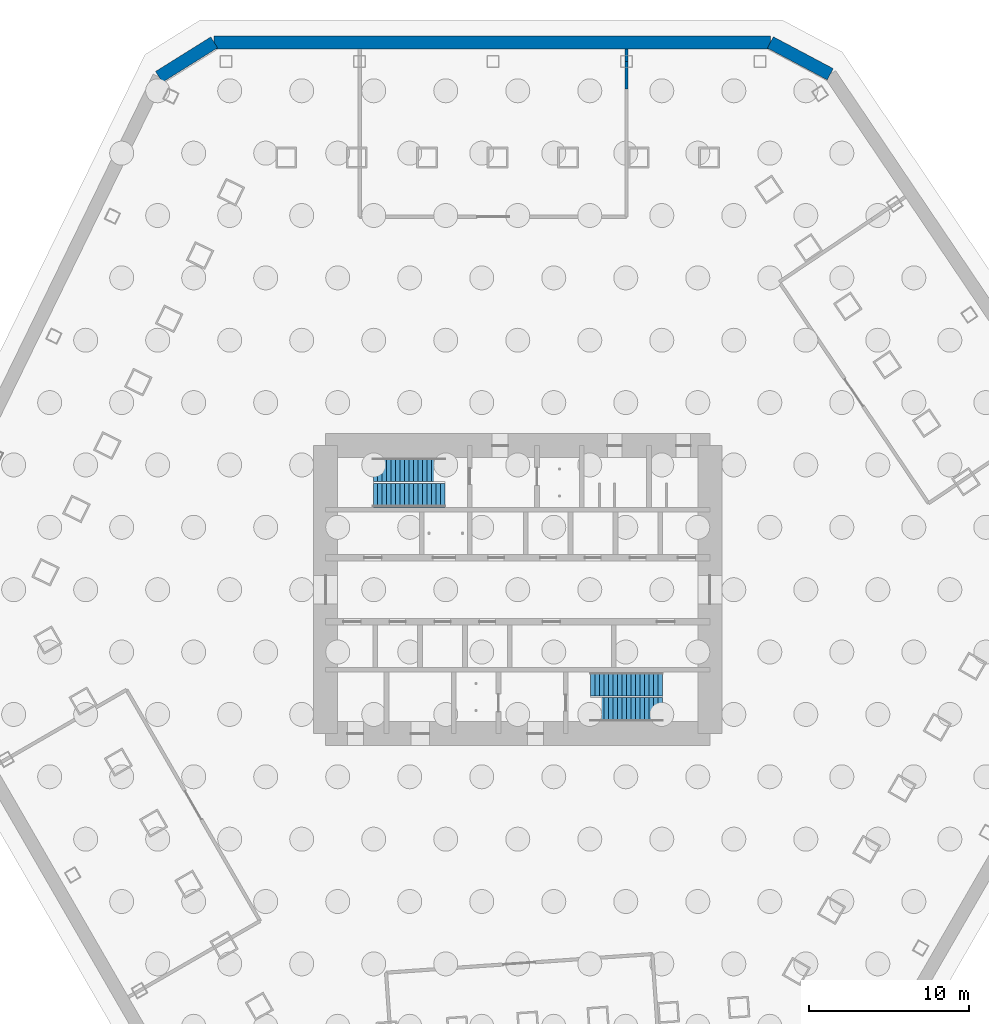
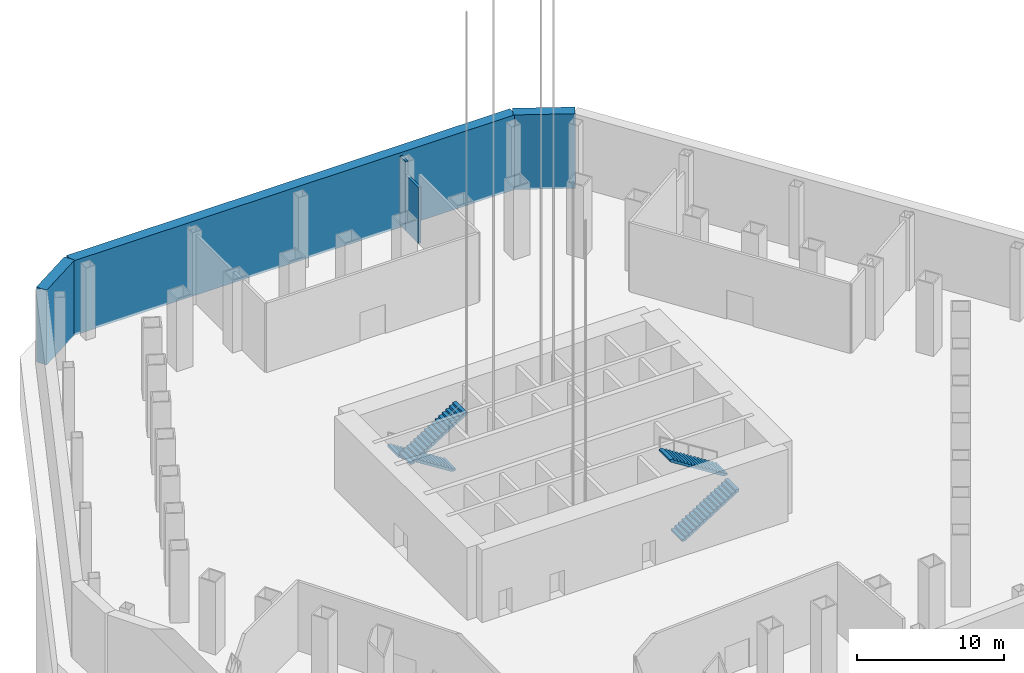
# One storey, part 5 of 12: 5 walls, 4 stair flights, 2 elements without a shape of their own.
"""IFC4 building model written with IfcOpenShell, lengths in metres."""

import ifcopenshell
import ifcopenshell.guid

model = None  # the IFC model being written
_history = None  # IfcOwnerHistory: only IFC2X3 demands one
_inside = {}  # id of a spatial element -> (the spatial element, [elements in it])
_under = {}  # id of a project, library or spatial element -> (it, [spatial elements below it])
_declared = {}  # id of a project -> (the project, [libraries it declares])
_typed = {}  # id of a type object -> (the type object, [elements of that type])
_made_of = {}  # id of a material, layer set ... -> (it, [elements and type objects made of it])


def new_model(schema):
    """Start an empty IFC model of exactly this schema.

    Asked for "IFC4X3", IfcOpenShell would pick the latest addendum, in which some entities
    have other attributes; the version numbers below select the first issue.
    IFC2X3 requires an IfcOwnerHistory on every rooted entity: one is made here for all.
    """
    global model, _history
    if schema == "IFC4X3":
        model = ifcopenshell.file(schema_version=(4, 3, 0, 0))
    else:
        model = ifcopenshell.file(schema=schema)
    _inside.clear()
    _under.clear()
    _declared.clear()
    _typed.clear()
    _made_of.clear()
    _history = None
    if model.schema == "IFC2X3":
        org = make("IfcOrganization", Name="unknown")
        user = make(
            "IfcPersonAndOrganization",
            ThePerson=make("IfcPerson", FamilyName="unknown"),
            TheOrganization=org,
        )
        app = make(
            "IfcApplication",
            ApplicationDeveloper=org,
            Version="unknown",
            ApplicationFullName="unknown",
            ApplicationIdentifier="unknown",
        )
        _history = make(
            "IfcOwnerHistory",
            OwningUser=user,
            OwningApplication=app,
            ChangeAction="ADDED",
            CreationDate=0,
        )
    return model


def make(cls, **values):
    """One entity of the class cls with the attributes given. An attribute that is None is left unset."""
    return model.create_entity(
        cls, **{name: value for name, value in values.items() if value is not None}
    )


def rooted(cls, **values):
    """An entity with a GlobalId (a new one), such as an element, a storey or a relation."""
    return make(cls, GlobalId=ifcopenshell.guid.new(), OwnerHistory=_history, **values)


def si_unit(unit_type, name, prefix=None):
    """IfcSIUnit, for example si_unit("LENGTHUNIT", "METRE", prefix="MILLI")."""
    return make("IfcSIUnit", UnitType=unit_type, Prefix=prefix, Name=name)


def assignment(units):
    """IfcUnitAssignment: the units of a project."""
    return None if units is None else make("IfcUnitAssignment", Units=units)


def point(xyz):
    """IfcCartesianPoint."""
    return None if xyz is None else make("IfcCartesianPoint", Coordinates=xyz)


def direction(xyz):
    """IfcDirection."""
    return None if xyz is None else make("IfcDirection", DirectionRatios=xyz)


def frame(location, z_axis=None, x_axis=None):
    """IfcAxis2Placement3D, a coordinate frame: its origin and axes. An axis left out is left unset."""
    return make(
        "IfcAxis2Placement3D",
        Location=point(location),
        Axis=direction(z_axis),
        RefDirection=direction(x_axis),
    )


def frame_2d(location, x_axis=None):
    """IfcAxis2Placement2D, a coordinate frame in the plane: its origin and x axis."""
    return make(
        "IfcAxis2Placement2D", Location=point(location), RefDirection=direction(x_axis)
    )


def origin():
    """The frame at (0, 0, 0) with its axes left unset."""
    return frame((0.0, 0.0, 0.0))


def place(relative_to, where):
    """IfcLocalPlacement: puts the frame where relative to a parent placement (None: the world)."""
    return make(
        "IfcLocalPlacement", PlacementRelTo=relative_to, RelativePlacement=where
    )


def context(
    kind, dimensions, precision=None, world=None, true_north=None, identifier=None
):
    """IfcGeometricRepresentationContext, for example the 3D "Model" context."""
    return make(
        "IfcGeometricRepresentationContext",
        ContextIdentifier=identifier,
        ContextType=kind,
        CoordinateSpaceDimension=dimensions,
        Precision=precision,
        WorldCoordinateSystem=world,
        TrueNorth=true_north,
    )


def subcontext(parent, identifier, kind, view, scale=None):
    """IfcGeometricRepresentationSubContext, for example "Body" below "Model"."""
    return make(
        "IfcGeometricRepresentationSubContext",
        ContextIdentifier=identifier,
        ContextType=kind,
        ParentContext=parent,
        TargetScale=scale,
        TargetView=view,
    )


def project(units=None, contexts=None):
    """IfcProject with its units and contexts."""
    return rooted(
        "IfcProject",
        Name="project",
        RepresentationContexts=contexts,
        UnitsInContext=assignment(units),
    )


def spatial(cls, under=None, at=None, **own):
    """A site, building, storey or space (cls), placed at a placement, below another one or the project."""
    s = rooted(cls, ObjectPlacement=at, **own)
    if under is not None:
        _under.setdefault(under.id(), (under, []))[1].append(s)
    return s


def polyline(points):
    """IfcPolyline through the points."""
    return make("IfcPolyline", Points=[point(p) for p in points])


def profile(cls, at=None, kind="AREA", **sizes):
    """A parametric profile (cls). Its sizes go by their IFC names, for example OverallWidth=200.0."""
    return make(cls, ProfileType=kind, Position=at, **sizes)


def rectangle(**sizes):
    """IfcRectangleProfileDef."""
    return profile("IfcRectangleProfileDef", **sizes)


def outline(outer, holes=None, kind="AREA"):
    """IfcArbitraryClosedProfileDef: a profile drawn as a closed curve; with holes, ...WithVoids."""
    if holes is None:
        return make("IfcArbitraryClosedProfileDef", ProfileType=kind, OuterCurve=outer)
    return make(
        "IfcArbitraryProfileDefWithVoids",
        ProfileType=kind,
        OuterCurve=outer,
        InnerCurves=holes,
    )


def extrude(swept, where, along, depth):
    """IfcExtrudedAreaSolid: the profile swept, set in the frame where, extruded along a direction by depth."""
    return make(
        "IfcExtrudedAreaSolid",
        SweptArea=swept,
        Position=where,
        ExtrudedDirection=direction(along),
        Depth=depth,
    )


def shape(context_of_items, identifier, shape_type, items):
    """IfcShapeRepresentation: the items that make up one representation, for example the "Body"."""
    return make(
        "IfcShapeRepresentation",
        ContextOfItems=context_of_items,
        RepresentationIdentifier=identifier,
        RepresentationType=shape_type,
        Items=items,
    )


def material(Name=None, Category=None):
    """IfcMaterial."""
    return make("IfcMaterial", Name=Name, Category=Category)


def layer(
    of_material, thickness, ventilated=None, Name=None, Category=None, Priority=None
):
    """IfcMaterialLayer: one layer of a wall or slab, of a material (None: an air gap)."""
    return make(
        "IfcMaterialLayer",
        Material=of_material,
        LayerThickness=thickness,
        IsVentilated=ventilated,
        Name=Name,
        Category=Category,
        Priority=Priority,
    )


def layer_set(layers, Name=None):
    """IfcMaterialLayerSet."""
    return make("IfcMaterialLayerSet", MaterialLayers=layers, LayerSetName=Name)


def made_of(thing, what):
    """Note that an element or type object is made of a material, layer set ...; save() writes the relation."""
    if what is not None:
        _made_of.setdefault(what.id(), (what, []))[1].append(thing)
    return thing


def type_object(cls, material=None, **own):
    """A type object (cls), such as IfcWallType, which elements share."""
    return made_of(rooted(cls, **own), material)


def element(
    cls,
    number,
    at=None,
    inside=None,
    cuts=None,
    type_object=None,
    material=None,
    context=None,
    identifier="Body",
    shape_type=None,
    held_by="IfcProductDefinitionShape",
    body=None,
    shapes=None,
    **own,
):
    """One element of the class cls, such as IfcWall. Its Tag is "e" and its number.

    at: its placement. inside: the storey or other place that contains it. cuts: it is an
    opening in that element (IfcRelVoidsElement). A single representation is given by context,
    identifier, shape_type and body (its items); several are given by shapes. held_by: the class
    of the entity that holds the representations. save() writes the other relations.
    """
    e = rooted(cls, Tag="e%d" % number, ObjectPlacement=at, **own)
    if body is not None:
        shapes = [shape(context, identifier, shape_type, body)]
    if shapes is not None:
        e.Representation = make(held_by, Representations=shapes)
    if inside is not None:
        _inside.setdefault(inside.id(), (inside, []))[1].append(e)
    if cuts is not None:
        rooted(
            "IfcRelVoidsElement", RelatingBuildingElement=cuts, RelatedOpeningElement=e
        )
    if type_object is not None:
        _typed.setdefault(type_object.id(), (type_object, []))[1].append(e)
    return made_of(e, material)


def aggregate(whole, parts):
    """IfcRelAggregates: a whole, such as a stair, and the parts it consists of."""
    return rooted("IfcRelAggregates", RelatingObject=whole, RelatedObjects=parts)


def save(model, path):
    """Write the relations noted so far, then the file.

    IfcRelAggregates (storeys below a building ...), IfcRelContainedInSpatialStructure (elements
    in a storey), IfcRelDefinesByType, IfcRelAssociatesMaterial and IfcRelDeclares: one each for
    every whole, place, type object, material and project.
    """
    for whole, parts in _under.values():
        aggregate(whole, parts)
    for where, things in _inside.values():
        rooted(
            "IfcRelContainedInSpatialStructure",
            RelatedElements=things,
            RelatingStructure=where,
        )
    for kind, things in _typed.values():
        rooted("IfcRelDefinesByType", RelatedObjects=things, RelatingType=kind)
    for what, things in _made_of.values():
        rooted("IfcRelAssociatesMaterial", RelatedObjects=things, RelatingMaterial=what)
    for by, libraries in _declared.values():
        rooted("IfcRelDeclares", RelatingContext=by, RelatedDefinitions=libraries)
    model.write(path)


model = new_model("IFC4")

# Units and contexts
model_context = context("Model", 3, precision=1e-05, world=origin(), true_north=direction((0.0, 1.0)))
body_context = subcontext(model_context, "Body", "Model", "MODEL_VIEW")
ifc_project = project(units=[si_unit("LENGTHUNIT", "METRE"), si_unit("AREAUNIT", "SQUARE_METRE"), si_unit("VOLUMEUNIT", "CUBIC_METRE"), si_unit("PLANEANGLEUNIT", "RADIAN"), si_unit("MASSUNIT", "GRAM", prefix="KILO")], contexts=[model_context])

# Site, building, storey
site_placement = place(None, origin())
site = spatial("IfcSite", under=ifc_project, at=site_placement, CompositionType="ELEMENT")
building_placement = place(site_placement, origin())
building = spatial("IfcBuilding", under=site, at=building_placement, Name="Qingtian Harvest Tower", CompositionType="ELEMENT")
storey_placement = place(building_placement, frame((0.0, 0.0, -12.0)))
storey = spatial("IfcBuildingStorey", under=building, at=storey_placement, Name="B2", CompositionType="ELEMENT", Elevation=-12.0)

# Walls
ifc_material_1 = material(Name="Concrete fc' 42 MPa", Category="concrete")
ifc_layer_1 = layer(ifc_material_1, 0.800048828125)
ifc_layer_set_1 = layer_set([ifc_layer_1], Name="Basement retaining wall RW1 800")
wall_type_1 = type_object("IfcWallType", Name="Basement retaining wall RW1 800", PredefinedType="SHEAR", material=ifc_layer_set_1)
wall_1_placement = place(storey_placement, frame((-18.970458984375, 34.199951171875, -0.199951171875), z_axis=(0.0, 0.0, 1.0), x_axis=(1.0, 0.0, 0.0)))
element("IfcWall", 1, at=wall_1_placement, inside=storey, type_object=wall_type_1, Name="Retaining wall RW1 B2 1", PredefinedType="SHEAR", context=body_context, shape_type="SweptSolid", body=[
    extrude(rectangle(XDim=34.7548828125, YDim=0.800048828125, at=frame_2d((17.37744140625, 0.0))), origin(), (0.0, 0.0, 1.0), 6.199951171875),
])
wall_2_placement = place(storey_placement, frame((15.784423828125, 34.199951171875, -0.199951171875), z_axis=(0.0, 0.0, 1.0), x_axis=(0.882948599748, -0.469469669099, 0.0)))
element("IfcWall", 2, at=wall_2_placement, inside=storey, type_object=wall_type_1, Name="Retaining wall RW1 B2 2", PredefinedType="SHEAR", context=body_context, shape_type="SweptSolid", body=[
    extrude(rectangle(XDim=4.23828125, YDim=0.800048828125, at=frame_2d((2.119140625, 0.0))), origin(), (0.0, 0.0, 1.0), 6.199951171875),
])
wall_3_placement = place(storey_placement, frame((-22.422607421875, 32.04296875, -0.199951171875), z_axis=(0.0, 0.0, 1.0), x_axis=(0.848065686315, 0.529891113055, 0.0)))
element("IfcWall", 3, at=wall_3_placement, inside=storey, type_object=wall_type_1, Name="Retaining wall RW1 B2 12", PredefinedType="SHEAR", context=body_context, shape_type="SweptSolid", body=[
    extrude(rectangle(XDim=4.070556640625, YDim=0.800048828125, at=frame_2d((2.03515625, 0.0))), origin(), (0.0, 0.0, 1.0), 6.199951171875),
])
ifc_material_2 = material(Name="Blockwork fire wall", Category="masonry")
ifc_layer_2 = layer(ifc_material_2, 0.199951171875)
ifc_layer_set_2 = layer_set([ifc_layer_2], Name="Fire partition FW1 200")
wall_type_2 = type_object("IfcWallType", Name="Fire partition FW1 200", PredefinedType="PARTITIONING", material=ifc_layer_set_2)
wall_4_placement = place(storey_placement, frame((6.8046875, 33.800048828125, 0.0), z_axis=(0.0, 0.0, 1.0), x_axis=(0.0, -1.0, 0.0)))
element("IfcWall", 4, at=wall_4_placement, inside=storey, type_object=wall_type_2, Name="Water tank room wall B2", PredefinedType="PARTITIONING", context=body_context, shape_type="SweptSolid", body=[
    extrude(rectangle(XDim=0.779541015625, YDim=0.199951171875, at=frame_2d((0.3896484375, 0.0))), origin(), (0.0, 0.0, 1.0), 5.75),
])
wall_5_placement = place(storey_placement, frame((6.8046875, 33.0205078125, 0.0), z_axis=(0.0, 0.0, 1.0), x_axis=(0.0, -1.0, 0.0)))
element("IfcWall", 5, at=wall_5_placement, inside=storey, type_object=wall_type_2, Name="Water tank room wall B2", PredefinedType="PARTITIONING", context=body_context, shape_type="SweptSolid", body=[
    extrude(rectangle(XDim=1.743408203125, YDim=0.199951171875, at=frame_2d((0.87158203125, 0.0))), origin(), (0.0, 0.0, 1.0), 4.64990234375),
])

# Stair, stair flights
ifc_material_3 = material(Name="Concrete fc' 35 MPa", Category="concrete")
stair_type = type_object("IfcStairType", Name="Special stair ST1 6000", PredefinedType="HALF_TURN_STAIR", material=ifc_material_3)
stair_1_placement = place(storey_placement, origin())
stair_1 = element("IfcStair", 6, at=stair_1_placement, inside=storey, type_object=stair_type, Name="Special stair S1 B2", PredefinedType="HALF_TURN_STAIR")
ifc_material_4 = material(Name="Concrete fc' 35 MPa", Category="concrete")
stair_flight_type = type_object("IfcStairFlightType", Name="Stair flight SF1 6000", PredefinedType="STRAIGHT", material=ifc_material_4)
stair_flight_1_placement = place(storey_placement, frame((-4.550048828125, 7.5, 0.0), z_axis=(0.0, 0.0, 1.0), x_axis=(-1.0, 0.0, 0.0)))
stair_flight_1 = element("IfcStairFlight", 7, at=stair_flight_1_placement, type_object=stair_flight_type, Name="S1 flight 1", NumberOfRisers=17, NumberOfTreads=16, PredefinedType="STRAIGHT", RiserHeight=0.176470588, TreadLength=0.28, context=body_context, shape_type="SweptSolid", body=[
    extrude(outline(polyline([(0.0, 0.0), (0.0, 0.176513671875), (0.280029296875, 0.176513671875), (0.280029296875, 0.35302734375), (0.56005859375, 0.35302734375), (0.56005859375, 0.529296875), (0.840087890625, 0.529296875), (0.840087890625, 0.705810546875), (1.1201171875, 0.705810546875), (1.1201171875, 0.88232421875), (1.39990234375, 0.88232421875), (1.39990234375, 1.058837890625), (1.679931640625, 1.058837890625), (1.679931640625, 1.2353515625), (1.9599609375, 1.2353515625), (1.9599609375, 1.411865234375), (2.239990234375, 1.411865234375), (2.239990234375, 1.588134765625), (2.52001953125, 1.588134765625), (2.52001953125, 1.7646484375), (2.800048828125, 1.7646484375), (2.800048828125, 1.941162109375), (3.080078125, 1.941162109375), (3.080078125, 2.11767578125), (3.360107421875, 2.11767578125), (3.360107421875, 2.294189453125), (3.639892578125, 2.294189453125), (3.639892578125, 2.470703125), (3.919921875, 2.470703125), (3.919921875, 2.64697265625), (4.199951171875, 2.64697265625), (4.199951171875, 2.823486328125), (4.47998046875, 2.823486328125), (4.47998046875, 3.0), (4.47998046875, 2.646240234375), (0.28125, 0.0), (0.0, 0.0)])), frame((0.0, 0.75, 0.0), z_axis=(0.0, -1.0, 0.0), x_axis=(1.0, 0.0, 0.0)), (0.0, 0.0, 1.0), 1.5),
])
stair_flight_2_placement = place(storey_placement, frame((-9.030029296875, 5.89990234375, 3.0), z_axis=(0.0, 0.0, 1.0), x_axis=(1.0, 0.0, 0.0)))
stair_flight_2 = element("IfcStairFlight", 8, at=stair_flight_2_placement, type_object=stair_flight_type, Name="S1 flight 2", NumberOfRisers=17, NumberOfTreads=16, PredefinedType="STRAIGHT", RiserHeight=0.176470588, TreadLength=0.28, context=body_context, shape_type="SweptSolid", body=[
    extrude(outline(polyline([(0.0, 0.0), (0.0, 0.176513671875), (0.280029296875, 0.176513671875), (0.280029296875, 0.35302734375), (0.56005859375, 0.35302734375), (0.56005859375, 0.529296875), (0.840087890625, 0.529296875), (0.840087890625, 0.705810546875), (1.1201171875, 0.705810546875), (1.1201171875, 0.88232421875), (1.39990234375, 0.88232421875), (1.39990234375, 1.058837890625), (1.679931640625, 1.058837890625), (1.679931640625, 1.2353515625), (1.9599609375, 1.2353515625), (1.9599609375, 1.411865234375), (2.239990234375, 1.411865234375), (2.239990234375, 1.588134765625), (2.52001953125, 1.588134765625), (2.52001953125, 1.7646484375), (2.800048828125, 1.7646484375), (2.800048828125, 1.941162109375), (3.080078125, 1.941162109375), (3.080078125, 2.11767578125), (3.360107421875, 2.11767578125), (3.360107421875, 2.294189453125), (3.639892578125, 2.294189453125), (3.639892578125, 2.470703125), (3.919921875, 2.470703125), (3.919921875, 2.64697265625), (4.199951171875, 2.64697265625), (4.199951171875, 2.823486328125), (4.47998046875, 2.823486328125), (4.47998046875, 3.0), (4.47998046875, 2.646240234375), (0.28125, 0.0), (0.0, 0.0)])), frame((0.0, 0.75, 0.0), z_axis=(0.0, -1.0, 0.0), x_axis=(1.0, 0.0, 0.0)), (0.0, 0.0, 1.0), 1.5),
])
aggregate(stair_1, [stair_flight_1, stair_flight_2])

stair_2_placement = place(storey_placement, origin())
stair_2 = element("IfcStair", 9, at=stair_2_placement, inside=storey, type_object=stair_type, Name="Special stair S2 B2", PredefinedType="HALF_TURN_STAIR")
stair_flight_3_placement = place(storey_placement, frame((4.550048828125, -7.5, 0.0), z_axis=(0.0, 0.0, 1.0), x_axis=(1.0, 0.0, 0.0)))
stair_flight_3 = element("IfcStairFlight", 10, at=stair_flight_3_placement, type_object=stair_flight_type, Name="S2 flight 1", NumberOfRisers=17, NumberOfTreads=16, PredefinedType="STRAIGHT", RiserHeight=0.176470588, TreadLength=0.28, context=body_context, shape_type="SweptSolid", body=[
    extrude(outline(polyline([(0.0, 0.0), (0.0, 0.176513671875), (0.280029296875, 0.176513671875), (0.280029296875, 0.35302734375), (0.56005859375, 0.35302734375), (0.56005859375, 0.529296875), (0.840087890625, 0.529296875), (0.840087890625, 0.705810546875), (1.1201171875, 0.705810546875), (1.1201171875, 0.88232421875), (1.39990234375, 0.88232421875), (1.39990234375, 1.058837890625), (1.679931640625, 1.058837890625), (1.679931640625, 1.2353515625), (1.9599609375, 1.2353515625), (1.9599609375, 1.411865234375), (2.239990234375, 1.411865234375), (2.239990234375, 1.588134765625), (2.52001953125, 1.588134765625), (2.52001953125, 1.7646484375), (2.800048828125, 1.7646484375), (2.800048828125, 1.941162109375), (3.080078125, 1.941162109375), (3.080078125, 2.11767578125), (3.360107421875, 2.11767578125), (3.360107421875, 2.294189453125), (3.639892578125, 2.294189453125), (3.639892578125, 2.470703125), (3.919921875, 2.470703125), (3.919921875, 2.64697265625), (4.199951171875, 2.64697265625), (4.199951171875, 2.823486328125), (4.47998046875, 2.823486328125), (4.47998046875, 3.0), (4.47998046875, 2.646240234375), (0.28125, 0.0), (0.0, 0.0)])), frame((0.0, 0.75, 0.0), z_axis=(0.0, -1.0, 0.0), x_axis=(1.0, 0.0, 0.0)), (0.0, 0.0, 1.0), 1.5),
])
stair_flight_4_placement = place(storey_placement, frame((9.030029296875, -5.89990234375, 3.0), z_axis=(0.0, 0.0, 1.0), x_axis=(-1.0, 0.0, 0.0)))
stair_flight_4 = element("IfcStairFlight", 11, at=stair_flight_4_placement, type_object=stair_flight_type, Name="S2 flight 2", NumberOfRisers=17, NumberOfTreads=16, PredefinedType="STRAIGHT", RiserHeight=0.176470588, TreadLength=0.28, context=body_context, shape_type="SweptSolid", body=[
    extrude(outline(polyline([(0.0, 0.0), (0.0, 0.176513671875), (0.280029296875, 0.176513671875), (0.280029296875, 0.35302734375), (0.56005859375, 0.35302734375), (0.56005859375, 0.529296875), (0.840087890625, 0.529296875), (0.840087890625, 0.705810546875), (1.1201171875, 0.705810546875), (1.1201171875, 0.88232421875), (1.39990234375, 0.88232421875), (1.39990234375, 1.058837890625), (1.679931640625, 1.058837890625), (1.679931640625, 1.2353515625), (1.9599609375, 1.2353515625), (1.9599609375, 1.411865234375), (2.239990234375, 1.411865234375), (2.239990234375, 1.588134765625), (2.52001953125, 1.588134765625), (2.52001953125, 1.7646484375), (2.800048828125, 1.7646484375), (2.800048828125, 1.941162109375), (3.080078125, 1.941162109375), (3.080078125, 2.11767578125), (3.360107421875, 2.11767578125), (3.360107421875, 2.294189453125), (3.639892578125, 2.294189453125), (3.639892578125, 2.470703125), (3.919921875, 2.470703125), (3.919921875, 2.64697265625), (4.199951171875, 2.64697265625), (4.199951171875, 2.823486328125), (4.47998046875, 2.823486328125), (4.47998046875, 3.0), (4.47998046875, 2.646240234375), (0.28125, 0.0), (0.0, 0.0)])), frame((0.0, 0.75, 0.0), z_axis=(0.0, -1.0, 0.0), x_axis=(1.0, 0.0, 0.0)), (0.0, 0.0, 1.0), 1.5),
])
aggregate(stair_2, [stair_flight_3, stair_flight_4])

save(model, "model.ifc")
